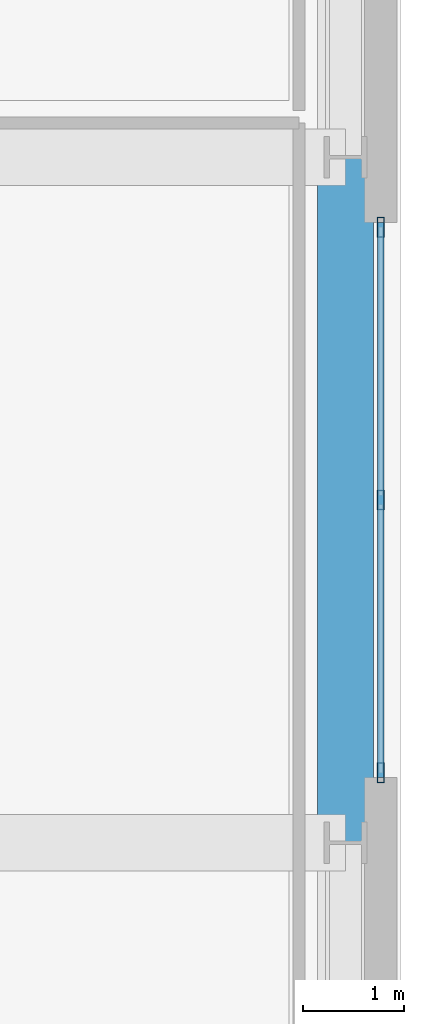
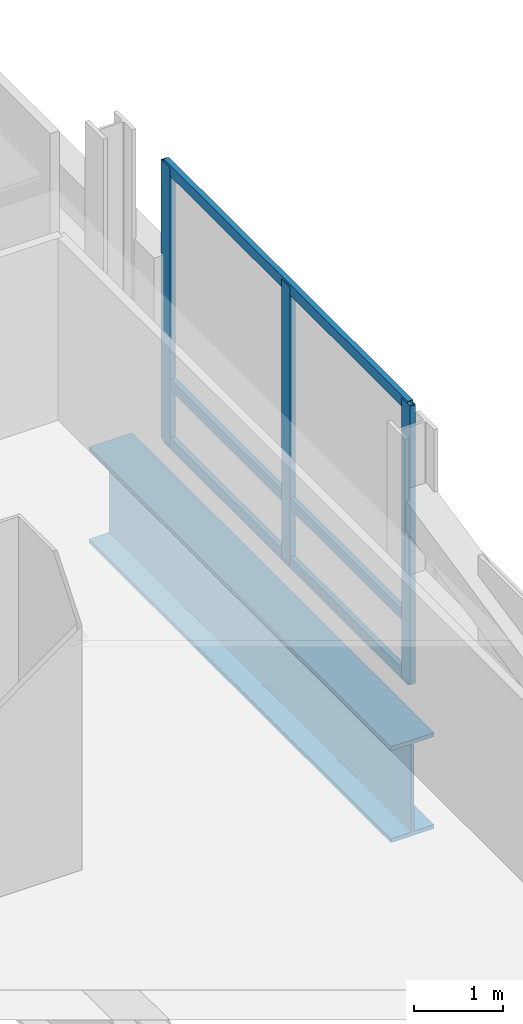
# One storey, part 4 of 27: 6 members, 1 beam, 1 element without a shape of its own.
"""IFC4 building model written with IfcOpenShell, lengths in metres."""

from ifc_helpers import new_model, si_unit, direction, frame, origin, origin_2d, place, context, subcontext, project, spatial, hollow_rectangle, i_section, extrude, material, material_profile, profile_set, type_object, element, aggregate, save


model = new_model("IFC4")

# Units and contexts
model_context = context("Model", 3, precision=1e-05, world=origin(), true_north=direction((0.0, 1.0)))
body_context = subcontext(model_context, "Body", "Model", "MODEL_VIEW")
ifc_project = project(units=[si_unit("LENGTHUNIT", "METRE"), si_unit("AREAUNIT", "SQUARE_METRE"), si_unit("VOLUMEUNIT", "CUBIC_METRE"), si_unit("PLANEANGLEUNIT", "RADIAN"), si_unit("MASSUNIT", "GRAM", prefix="KILO")], contexts=[model_context])

# Site, building, storey
site_placement = place(None, origin())
site = spatial("IfcSite", under=ifc_project, at=site_placement, CompositionType="ELEMENT")
building_placement = place(site_placement, origin())
building = spatial("IfcBuilding", under=site, at=building_placement, Name="Punatoya Terracotta Tower", CompositionType="ELEMENT")
storey_placement = place(building_placement, frame((0.0, 0.0, 204.60009765625)))
storey = spatial("IfcBuildingStorey", under=building, at=storey_placement, Name="L48", CompositionType="ELEMENT", Elevation=204.60009765625)

# Beam
ifc_material_1 = material(Name="Steel S460", Category="steel")
ifc_material_profile_1 = material_profile(ifc_material_1, i_section(OverallWidth=0.56005859375, OverallDepth=1.320068359375, WebThickness=0.035888671875, FlangeThickness=0.054931640625, FilletRadius=0.01806640625, at=origin_2d()))
ifc_profile_set_1 = profile_set([ifc_material_profile_1], Name="Steel S460")
beam_type = type_object("IfcBeamType", Name="BM-TG-BLK", PredefinedType="BEAM", material=ifc_profile_set_1)
beam_placement = place(storey_placement, frame((24.5, -3.39990234375, -0.940185546875), z_axis=(0.0, 1.0, 0.0), x_axis=(-1.0, 0.0, 0.0)))
element("IfcBeam", 1, at=beam_placement, inside=storey, type_object=beam_type, Name="BM-L48-PER-E2", PredefinedType="BEAM", context=body_context, shape_type="SweptSolid", body=[
    extrude(i_section(OverallWidth=0.56005859375, OverallDepth=1.320068359375, WebThickness=0.035888671875, FlangeThickness=0.054931640625, FilletRadius=0.01806640625, at=origin_2d()), origin(), (0.0, 0.0, 1.0), 6.7998046875),
])

# Curtain wall, members
ifc_material_2 = material(Name="Aluminium 6063-T6 + Double Low-E Glass", Category="aluminium")
curtain_wall_type = type_object("IfcCurtainWallType", Name="CW-M2", PredefinedType="NOTDEFINED", material=ifc_material_2)
curtain_wall_placement = place(storey_placement, origin())
curtain_wall = element("IfcCurtainWall", 2, at=curtain_wall_placement, inside=storey, type_object=curtain_wall_type, Name="L48 Curtain Wall CW-L48-E05-1", PredefinedType="NOTDEFINED")
ifc_material_3 = material(Name="Aluminium 6063-T6", Category="aluminium")
ifc_material_profile_2 = material_profile(ifc_material_3, hollow_rectangle(XDim=0.072021484375, YDim=0.195068359375, WallThickness=0.00439453125, at=origin_2d()))
ifc_profile_set_2 = profile_set([ifc_material_profile_2], Name="Aluminium 6063-T6")
member_type_1 = type_object("IfcMemberType", Name="CW-MUL-M2", PredefinedType="MULLION", material=ifc_profile_set_2)
member_1_placement = place(storey_placement, frame((24.85009765625, -2.705078125, 0.0), z_axis=(0.0, 0.0, 1.0), x_axis=(1.0, 0.0, 0.0)))
member_1 = element("IfcMember", 3, at=member_1_placement, type_object=member_type_1, Name="CW-L48-E05-1 Mullion 00", PredefinedType="MULLION", context=body_context, shape_type="SweptSolid", body=[
    extrude(hollow_rectangle(XDim=0.072021484375, YDim=0.195068359375, WallThickness=0.00439453125, at=origin_2d()), origin(), (0.0, 0.0, 1.0), 3.829833984375),
])
member_2_placement = place(storey_placement, frame((24.85009765625, 0.0, 0.0), z_axis=(0.0, 0.0, 1.0), x_axis=(1.0, 0.0, 0.0)))
member_2 = element("IfcMember", 4, at=member_2_placement, type_object=member_type_1, Name="CW-L48-E05-1 Mullion 01", PredefinedType="MULLION", context=body_context, shape_type="SweptSolid", body=[
    extrude(hollow_rectangle(XDim=0.072021484375, YDim=0.195068359375, WallThickness=0.00439453125, at=origin_2d()), origin(), (0.0, 0.0, 1.0), 3.829833984375),
])
member_3_placement = place(storey_placement, frame((24.85009765625, 2.705078125, 0.0), z_axis=(0.0, 0.0, 1.0), x_axis=(1.0, 0.0, 0.0)))
member_3 = element("IfcMember", 5, at=member_3_placement, type_object=member_type_1, Name="CW-L48-E05-1 Mullion 02", PredefinedType="MULLION", context=body_context, shape_type="SweptSolid", body=[
    extrude(hollow_rectangle(XDim=0.072021484375, YDim=0.195068359375, WallThickness=0.00439453125, at=origin_2d()), origin(), (0.0, 0.0, 1.0), 3.829833984375),
])
ifc_material_profile_3 = material_profile(ifc_material_3, hollow_rectangle(XDim=0.068115234375, YDim=0.14990234375, WallThickness=0.00390625, at=origin_2d()))
ifc_profile_set_3 = profile_set([ifc_material_profile_3], Name="Aluminium 6063-T6")
member_type_2 = type_object("IfcMemberType", Name="CW-TRN-TYP", PredefinedType="USERDEFINED", material=ifc_profile_set_3)
member_4_placement = place(storey_placement, frame((24.85009765625, -2.75, 0.039794921875), z_axis=(0.0, 1.0, 0.0), x_axis=(-1.0, 0.0, 0.0)))
member_4 = element("IfcMember", 6, at=member_4_placement, type_object=member_type_2, Name="CW-L48-E05-1 Transom 1", ObjectType="TRANSOM", PredefinedType="USERDEFINED", context=body_context, shape_type="SweptSolid", body=[
    extrude(hollow_rectangle(XDim=0.068115234375, YDim=0.14990234375, WallThickness=0.00390625, at=origin_2d()), origin(), (0.0, 0.0, 1.0), 5.5),
])
member_5_placement = place(storey_placement, frame((24.85009765625, -2.75, 0.849853515625), z_axis=(0.0, 1.0, 0.0), x_axis=(-1.0, 0.0, 0.0)))
member_5 = element("IfcMember", 7, at=member_5_placement, type_object=member_type_2, Name="CW-L48-E05-1 Transom 2", ObjectType="TRANSOM", PredefinedType="USERDEFINED", context=body_context, shape_type="SweptSolid", body=[
    extrude(hollow_rectangle(XDim=0.068115234375, YDim=0.14990234375, WallThickness=0.00390625, at=origin_2d()), origin(), (0.0, 0.0, 1.0), 5.5),
])
member_6_placement = place(storey_placement, frame((24.85009765625, -2.75, 3.789794921875), z_axis=(0.0, 1.0, 0.0), x_axis=(-1.0, 0.0, 0.0)))
member_6 = element("IfcMember", 8, at=member_6_placement, type_object=member_type_2, Name="CW-L48-E05-1 Transom 3", ObjectType="TRANSOM", PredefinedType="USERDEFINED", context=body_context, shape_type="SweptSolid", body=[
    extrude(hollow_rectangle(XDim=0.068115234375, YDim=0.14990234375, WallThickness=0.00390625, at=origin_2d()), origin(), (0.0, 0.0, 1.0), 5.5),
])
aggregate(curtain_wall, [member_1, member_2, member_3, member_4, member_5, member_6])

save(model, "model.ifc")
